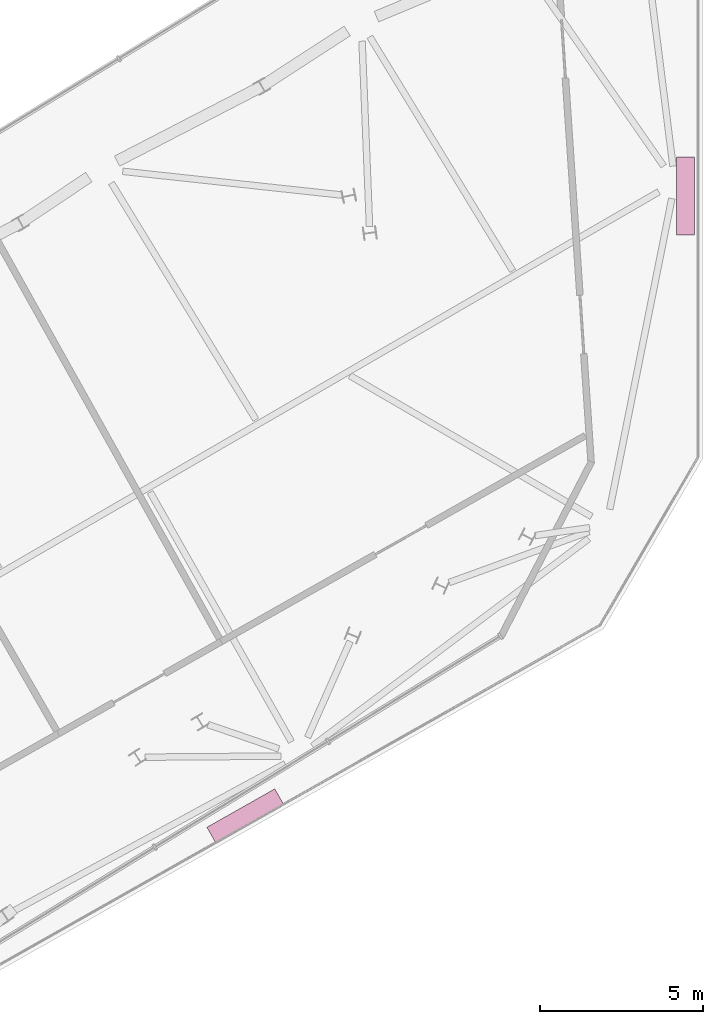
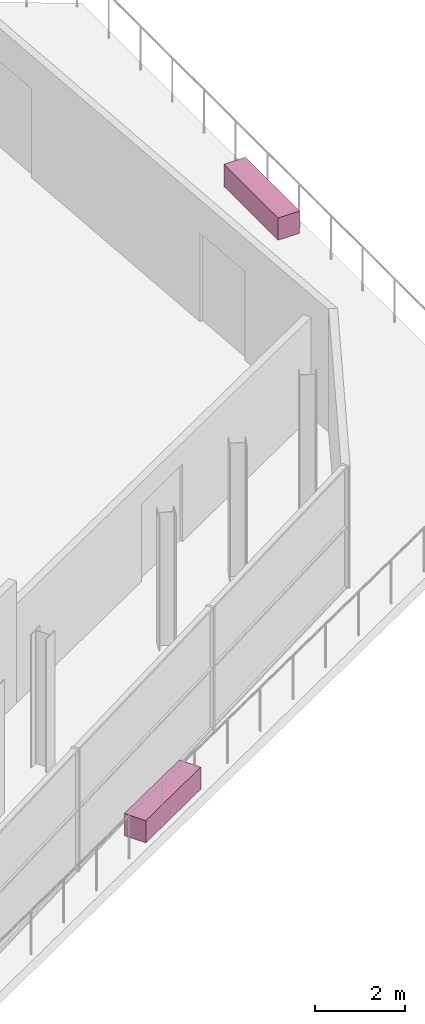
# One storey, part 10 of 10: 2 furnishings.
"""IFC4 building model written with IfcOpenShell, lengths in metres."""

from ifc_helpers import new_model, si_unit, direction, frame, origin, origin_2d, place, context, subcontext, project, spatial, rectangle, extrude, material, type_object, element, save


model = new_model("IFC4")

# Units and contexts
model_context = context("Model", 3, precision=1e-05, world=origin(), true_north=direction((0.0, 1.0)))
body_context = subcontext(model_context, "Body", "Model", "MODEL_VIEW")
ifc_project = project(units=[si_unit("LENGTHUNIT", "METRE"), si_unit("AREAUNIT", "SQUARE_METRE"), si_unit("VOLUMEUNIT", "CUBIC_METRE"), si_unit("PLANEANGLEUNIT", "RADIAN"), si_unit("MASSUNIT", "GRAM", prefix="KILO")], contexts=[model_context])

# Site, building, storey
site_placement = place(None, origin())
site = spatial("IfcSite", under=ifc_project, at=site_placement, CompositionType="ELEMENT")
building_placement = place(site_placement, origin())
building = spatial("IfcBuilding", under=site, at=building_placement, Name="Binnacle Exchange Tower", CompositionType="ELEMENT")
storey_placement = place(building_placement, frame((0.0, 0.0, 346.89990234375)))
storey = spatial("IfcBuildingStorey", under=building, at=storey_placement, Name="L79", CompositionType="ELEMENT", Elevation=346.89990234375)

# Furnishings
ifc_material = material(Name="Concrete C35/45", Category="concrete")
furnishing_element_type = type_object("IfcFurnishingElementType", Name="PLANTER 2400x550x600", material=ifc_material)
for number, where, z_axis, x_axis, name in (
    (1, (-14.064697265625, 40.521240234375, 0.0), (0.0, 0.0, 1.0), (0.87035655538, 0.492422041045, 0.0), "Planter 1 Terrace C1"),
    (2, (-0.52587890625, 59.57568359375, 0.0), (0.0, 0.0, 1.0), (0.0, 1.0, 0.0), "Planter 3 Terrace C1"),
):
    element("IfcFurnishingElement", number, at=place(storey_placement, frame(where, z_axis=z_axis, x_axis=x_axis)), inside=storey, type_object=furnishing_element_type, Name=name, ObjectType="PLANTER", context=body_context, shape_type="SweptSolid", body=[
        extrude(rectangle(XDim=2.39990234375, YDim=0.550048828125, at=origin_2d()), origin(), (0.0, 0.0, 1.0), 0.60009765625),
    ])

save(model, "model.ifc")
